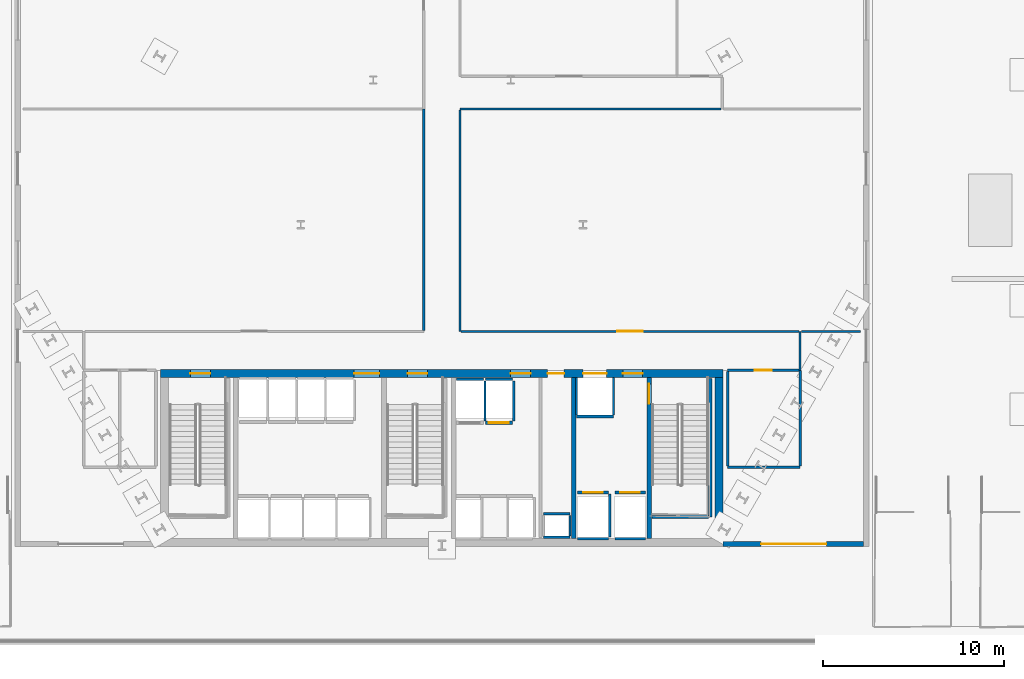
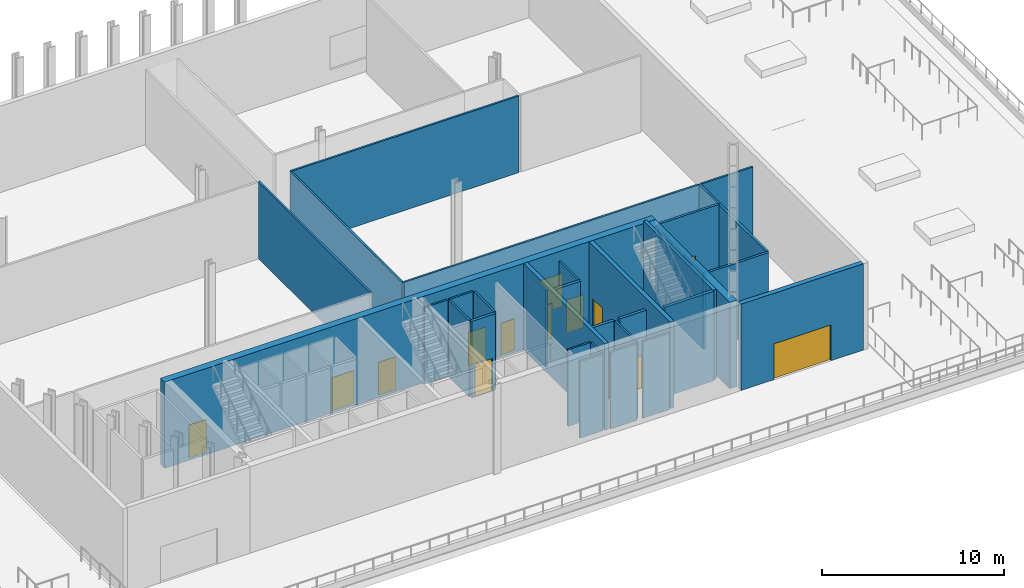
# One storey, part 5 of 13: 33 walls, 14 doors, 14 openings.
"""IFC4 building model written with IfcOpenShell, lengths in metres."""

from ifc_helpers import new_model, si_unit, direction, frame, frame_2d, origin, place, context, subcontext, project, spatial, rectangle, extrude, material, layer, layer_set, type_object, element, fill, save


model = new_model("IFC4")

# Units and contexts
model_context = context("Model", 3, precision=1e-05, world=origin(), true_north=direction((0.0, 1.0)))
body_context = subcontext(model_context, "Body", "Model", "MODEL_VIEW")
ifc_project = project(units=[si_unit("LENGTHUNIT", "METRE"), si_unit("AREAUNIT", "SQUARE_METRE"), si_unit("VOLUMEUNIT", "CUBIC_METRE"), si_unit("PLANEANGLEUNIT", "RADIAN"), si_unit("MASSUNIT", "GRAM", prefix="KILO")], contexts=[model_context])

# Site, building, storey
site_placement = place(None, origin())
site = spatial("IfcSite", under=ifc_project, at=site_placement, CompositionType="ELEMENT")
building_placement = place(site_placement, origin())
building = spatial("IfcBuilding", under=site, at=building_placement, Name="Ndaravel Arena Tower", CompositionType="ELEMENT")
storey_placement = place(building_placement, frame((0.0, 0.0, 30.0)))
storey = spatial("IfcBuildingStorey", under=building, at=storey_placement, Name="L05", CompositionType="ELEMENT", Elevation=30.0)

# Wall
ifc_material_1 = material(Name="Concrete C60/75", Category="concrete")
ifc_layer_1 = layer(ifc_material_1, 0.25)
ifc_layer_set_1 = layer_set([ifc_layer_1], Name="Concrete C60/75")
wall_type_1 = type_object("IfcWallType", Name="WALL-CORE-250", PredefinedType="SOLIDWALL", material=ifc_layer_set_1)
wall_1_placement = place(storey_placement, frame((49.300048828125, 5.85009765625, 0.0), z_axis=(0.0, 0.0, 1.0), x_axis=(0.0, 1.0, 0.0)))
element("IfcWall", 1, at=wall_1_placement, inside=storey, type_object=wall_type_1, Name="L05 Core Web Shear Wall 4", PredefinedType="SOLIDWALL", context=body_context, shape_type="SweptSolid", body=[
    extrude(rectangle(XDim=8.89990234375, YDim=0.25, at=frame_2d((4.449951171875, 0.0))), origin(), (0.0, 0.0, 1.0), 5.780029296875),
])

# Wall, opening, door
wall_2_placement = place(storey_placement, frame((53.449951171875, 5.85009765625, 0.0), z_axis=(0.0, 0.0, 1.0), x_axis=(0.0, 1.0, 0.0)))
wall_2 = element("IfcWall", 2, at=wall_2_placement, inside=storey, type_object=wall_type_1, Name="L05 Core Web Shear Wall 5", PredefinedType="SOLIDWALL", context=body_context, shape_type="SweptSolid", body=[
    extrude(rectangle(XDim=8.89990234375, YDim=0.25, at=frame_2d((4.449951171875, 0.0))), origin(), (0.0, 0.0, 1.0), 5.780029296875),
])
opening_1_placement = place(wall_2_placement, frame((7.449951171875, 0.0, 0.0)))
opening_1 = element("IfcOpeningElement", 3, at=opening_1_placement, cuts=wall_2, Name="Opening FD-01", PredefinedType="OPENING", context=body_context, shape_type="SweptSolid", body=[
    extrude(rectangle(XDim=1.10009765625, YDim=2.199951171875, at=frame_2d((0.550048828125, 1.10009765625))), frame((0.0, 0.125, 0.0), z_axis=(0.0, -1.0, 0.0), x_axis=(1.0, 0.0, 0.0)), (0.0, 0.0, 1.0), 0.25),
])
ifc_material_2 = material(Name="Steel S355", Category="steel")
door_type_1 = type_object("IfcDoorType", Name="DT-01-STAIR-1100", OperationType="SINGLE_SWING_LEFT", PredefinedType="DOOR", material=ifc_material_2)
door_1_placement = place(opening_1_placement, origin())
door_1 = element("IfcDoor", 4, at=door_1_placement, inside=storey, type_object=door_type_1, Name="L05 Firefighting Lobby to ST-3 Door", OperationType="SINGLE_SWING_LEFT", OverallHeight=2.199951171875, OverallWidth=1.10009765625, PredefinedType="DOOR", context=body_context, shape_type="SweptSolid", body=[
    extrude(rectangle(XDim=1.10009765625, YDim=2.199951171875, at=frame_2d((0.550048828125, 1.10009765625))), frame((0.0, 0.02490234375, 0.0), z_axis=(0.0, -1.0, 0.0), x_axis=(1.0, 0.0, 0.0)), (0.0, 0.0, 1.0), 0.050048828125),
])
fill(opening_1, door_1)

# Wall, openings, doors
ifc_material_3 = material(Name="Concrete C60/75", Category="concrete")
ifc_layer_2 = layer(ifc_material_3, 0.449951171875)
ifc_layer_set_2 = layer_set([ifc_layer_2], Name="Concrete C60/75")
wall_type_2 = type_object("IfcWallType", Name="WALL-CORE-450", PredefinedType="SOLIDWALL", material=ifc_layer_set_2)
wall_3_placement = place(storey_placement, frame((26.449951171875, 14.97509765625, 0.0), z_axis=(0.0, 0.0, 1.0), x_axis=(1.0, 0.0, 0.0)))
wall_3 = element("IfcWall", 5, at=wall_3_placement, inside=storey, type_object=wall_type_2, Name="L05 Core North Shear Wall", PredefinedType="SOLIDWALL", context=body_context, shape_type="SweptSolid", body=[
    extrude(rectangle(XDim=31.10009765625, YDim=0.449951171875, at=frame_2d((15.550048828125, 0.0))), origin(), (0.0, 0.0, 1.0), 5.780029296875),
])
opening_2_placement = place(wall_3_placement, frame((1.64990234375, 0.0, 0.0)))
opening_2 = element("IfcOpeningElement", 6, at=opening_2_placement, cuts=wall_3, Name="Opening FD-01", PredefinedType="OPENING", context=body_context, shape_type="SweptSolid", body=[
    extrude(rectangle(XDim=1.10009765625, YDim=2.199951171875, at=frame_2d((0.550048828125, 1.10009765625))), frame((0.0, 0.22509765625, 0.0), z_axis=(0.0, -1.0, 0.0), x_axis=(1.0, 0.0, 0.0)), (0.0, 0.0, 1.0), 0.449951171875),
])
opening_3_placement = place(wall_3_placement, frame((13.64990234375, 0.0, 0.0)))
opening_3 = element("IfcOpeningElement", 7, at=opening_3_placement, cuts=wall_3, Name="Opening FD-01", PredefinedType="OPENING", context=body_context, shape_type="SweptSolid", body=[
    extrude(rectangle(XDim=1.10009765625, YDim=2.199951171875, at=frame_2d((0.550048828125, 1.10009765625))), frame((0.0, 0.22509765625, 0.0), z_axis=(0.0, -1.0, 0.0), x_axis=(1.0, 0.0, 0.0)), (0.0, 0.0, 1.0), 0.449951171875),
])
opening_4_placement = place(wall_3_placement, frame((25.550048828125, 0.0, 0.0)))
opening_4 = element("IfcOpeningElement", 8, at=opening_4_placement, cuts=wall_3, Name="Opening FD-01", PredefinedType="OPENING", context=body_context, shape_type="SweptSolid", body=[
    extrude(rectangle(XDim=1.10009765625, YDim=2.199951171875, at=frame_2d((0.550048828125, 1.10009765625))), frame((0.0, 0.22509765625, 0.0), z_axis=(0.0, -1.0, 0.0), x_axis=(1.0, 0.0, 0.0)), (0.0, 0.0, 1.0), 0.449951171875),
])
opening_5_placement = place(wall_3_placement, frame((10.699951171875, 0.0, 0.0)))
opening_5 = element("IfcOpeningElement", 9, at=opening_5_placement, cuts=wall_3, Name="Opening ID-02", PredefinedType="OPENING", context=body_context, shape_type="SweptSolid", body=[
    extrude(rectangle(XDim=1.39990234375, YDim=2.199951171875, at=frame_2d((0.699951171875, 1.10009765625))), frame((0.0, 0.22509765625, 0.0), z_axis=(0.0, -1.0, 0.0), x_axis=(1.0, 0.0, 0.0)), (0.0, 0.0, 1.0), 0.449951171875),
])
opening_6_placement = place(wall_3_placement, frame((19.35009765625, 0.0, 0.0)))
opening_6 = element("IfcOpeningElement", 10, at=opening_6_placement, cuts=wall_3, Name="Opening FD-01", PredefinedType="OPENING", context=body_context, shape_type="SweptSolid", body=[
    extrude(rectangle(XDim=1.10009765625, YDim=2.199951171875, at=frame_2d((0.550048828125, 1.10009765625))), frame((0.0, 0.22509765625, 0.0), z_axis=(0.0, -1.0, 0.0), x_axis=(1.0, 0.0, 0.0)), (0.0, 0.0, 1.0), 0.449951171875),
])
opening_7_placement = place(wall_3_placement, frame((21.39990234375, 0.0, 0.0)))
opening_7 = element("IfcOpeningElement", 11, at=opening_7_placement, cuts=wall_3, Name="Opening RD-01", PredefinedType="OPENING", context=body_context, shape_type="SweptSolid", body=[
    extrude(rectangle(XDim=0.89990234375, YDim=2.10009765625, at=frame_2d((0.449951171875, 1.050048828125))), frame((0.0, 0.22509765625, 0.0), z_axis=(0.0, -1.0, 0.0), x_axis=(1.0, 0.0, 0.0)), (0.0, 0.0, 1.0), 0.449951171875),
])
opening_8_placement = place(wall_3_placement, frame((23.35009765625, 0.0, 0.0)))
opening_8 = element("IfcOpeningElement", 12, at=opening_8_placement, cuts=wall_3, Name="Opening LD-02", PredefinedType="OPENING", context=body_context, shape_type="SweptSolid", body=[
    extrude(rectangle(XDim=1.300048828125, YDim=2.300048828125, at=frame_2d((0.64990234375, 1.14990234375))), frame((0.0, 0.22509765625, 0.0), z_axis=(0.0, -1.0, 0.0), x_axis=(1.0, 0.0, 0.0)), (0.0, 0.0, 1.0), 0.449951171875),
])
door_2_placement = place(opening_2_placement, origin())
door_2 = element("IfcDoor", 13, at=door_2_placement, inside=storey, type_object=door_type_1, Name="L05 Exit Stair ST-1 Door", OperationType="SINGLE_SWING_RIGHT", OverallHeight=2.199951171875, OverallWidth=1.10009765625, PredefinedType="DOOR", context=body_context, shape_type="SweptSolid", body=[
    extrude(rectangle(XDim=1.10009765625, YDim=2.199951171875, at=frame_2d((0.550048828125, 1.10009765625))), frame((0.0, 0.02490234375, 0.0), z_axis=(0.0, -1.0, 0.0), x_axis=(1.0, 0.0, 0.0)), (0.0, 0.0, 1.0), 0.050048828125),
])
fill(opening_2, door_2)
door_3_placement = place(opening_3_placement, origin())
door_3 = element("IfcDoor", 14, at=door_3_placement, inside=storey, type_object=door_type_1, Name="L05 Exit Stair ST-2 Door", OperationType="SINGLE_SWING_LEFT", OverallHeight=2.199951171875, OverallWidth=1.10009765625, PredefinedType="DOOR", context=body_context, shape_type="SweptSolid", body=[
    extrude(rectangle(XDim=1.10009765625, YDim=2.199951171875, at=frame_2d((0.550048828125, 1.10009765625))), frame((0.0, 0.02490234375, 0.0), z_axis=(0.0, -1.0, 0.0), x_axis=(1.0, 0.0, 0.0)), (0.0, 0.0, 1.0), 0.050048828125),
])
fill(opening_3, door_3)
door_4_placement = place(opening_4_placement, origin())
door_4 = element("IfcDoor", 15, at=door_4_placement, inside=storey, type_object=door_type_1, Name="L05 Firefighting Lift Lobby Door", OperationType="SINGLE_SWING_RIGHT", OverallHeight=2.199951171875, OverallWidth=1.10009765625, PredefinedType="DOOR", context=body_context, shape_type="SweptSolid", body=[
    extrude(rectangle(XDim=1.10009765625, YDim=2.199951171875, at=frame_2d((0.550048828125, 1.10009765625))), frame((0.0, 0.02490234375, 0.0), z_axis=(0.0, -1.0, 0.0), x_axis=(1.0, 0.0, 0.0)), (0.0, 0.0, 1.0), 0.050048828125),
])
fill(opening_4, door_4)
door_5_placement = place(opening_6_placement, origin())
door_5 = element("IfcDoor", 16, at=door_5_placement, inside=storey, type_object=door_type_1, Name="L05 Express Lift Lobby Entry Door", OperationType="SINGLE_SWING_LEFT", OverallHeight=2.199951171875, OverallWidth=1.10009765625, PredefinedType="DOOR", context=body_context, shape_type="SweptSolid", body=[
    extrude(rectangle(XDim=1.10009765625, YDim=2.199951171875, at=frame_2d((0.550048828125, 1.10009765625))), frame((0.0, 0.02490234375, 0.0), z_axis=(0.0, -1.0, 0.0), x_axis=(1.0, 0.0, 0.0)), (0.0, 0.0, 1.0), 0.050048828125),
])
fill(opening_6, door_5)
ifc_material_4 = material(Name="Timber", Category="wood")
door_type_2 = type_object("IfcDoorType", Name="DT-04-SUITE-1400", OperationType="DOUBLE_DOOR_SINGLE_SWING", PredefinedType="DOOR", material=ifc_material_4)
door_6_placement = place(opening_5_placement, origin())
door_6 = element("IfcDoor", 17, at=door_6_placement, inside=storey, type_object=door_type_2, Name="L05 West Lift Lobby Entry Door", OperationType="DOUBLE_DOOR_SINGLE_SWING", OverallHeight=2.199951171875, OverallWidth=1.39990234375, PredefinedType="DOOR", context=body_context, shape_type="SweptSolid", body=[
    extrude(rectangle(XDim=1.39990234375, YDim=2.199951171875, at=frame_2d((0.699951171875, 1.10009765625))), frame((0.0, 0.02490234375, 0.0), z_axis=(0.0, -1.0, 0.0), x_axis=(1.0, 0.0, 0.0)), (0.0, 0.0, 1.0), 0.050048828125),
])
fill(opening_5, door_6)
ifc_material_5 = material(Name="Steel S355", Category="steel")
door_type_3 = type_object("IfcDoorType", Name="DT-07-SVLIFT-1300", OperationType="DOUBLE_DOOR_SLIDING", PredefinedType="DOOR", material=ifc_material_5)
door_7_placement = place(opening_8_placement, origin())
door_7 = element("IfcDoor", 18, at=door_7_placement, inside=storey, type_object=door_type_3, Name="L05 Lift SVL-1 Sliding Landing Door", OperationType="DOUBLE_DOOR_SLIDING", OverallHeight=2.300048828125, OverallWidth=1.300048828125, PredefinedType="DOOR", context=body_context, shape_type="SweptSolid", body=[
    extrude(rectangle(XDim=1.300048828125, YDim=2.300048828125, at=frame_2d((0.64990234375, 1.14990234375))), frame((0.0, 0.02490234375, 0.0), z_axis=(0.0, -1.0, 0.0), x_axis=(1.0, 0.0, 0.0)), (0.0, 0.0, 1.0), 0.050048828125),
])
fill(opening_8, door_7)
ifc_material_6 = material(Name="Steel S355", Category="steel")
door_type_4 = type_object("IfcDoorType", Name="DT-08-RISER-900", OperationType="SINGLE_SWING_LEFT", PredefinedType="DOOR", material=ifc_material_6)
door_8_placement = place(opening_7_placement, origin())
door_8 = element("IfcDoor", 19, at=door_8_placement, inside=storey, type_object=door_type_4, Name="L05 Core Service Riser North Door", OperationType="SINGLE_SWING_LEFT", OverallHeight=2.10009765625, OverallWidth=0.89990234375, PredefinedType="DOOR", context=body_context, shape_type="SweptSolid", body=[
    extrude(rectangle(XDim=0.89990234375, YDim=2.10009765625, at=frame_2d((0.449951171875, 1.050048828125))), frame((0.0, 0.02490234375, 0.0), z_axis=(0.0, -1.0, 0.0), x_axis=(1.0, 0.0, 0.0)), (0.0, 0.0, 1.0), 0.050048828125),
])
fill(opening_7, door_8)

# Walls
wall_4_placement = place(storey_placement, frame((57.324951171875, 5.85009765625, 0.0), z_axis=(0.0, 0.0, 1.0), x_axis=(0.0, 1.0, 0.0)))
element("IfcWall", 20, at=wall_4_placement, inside=storey, type_object=wall_type_2, Name="L05 Core East Shear Wall", PredefinedType="SOLIDWALL", context=body_context, shape_type="SweptSolid", body=[
    extrude(rectangle(XDim=8.89990234375, YDim=0.449951171875, at=frame_2d((4.449951171875, 0.0))), origin(), (0.0, 0.0, 1.0), 5.780029296875),
])
ifc_material_7 = material(Name="Gypsum", Category="gypsum")
ifc_layer_3 = layer(ifc_material_7, 0.125)
ifc_layer_set_3 = layer_set([ifc_layer_3], Name="Gypsum")
wall_type_3 = type_object("IfcWallType", Name="WALL-PART-125", PredefinedType="PARTITIONING", material=ifc_layer_set_3)
wall_5_placement = place(storey_placement, frame((61.800048828125, 17.300048828125, 0.0), z_axis=(0.0, 0.0, 1.0), x_axis=(0.0, -1.0, 0.0)))
element("IfcWall", 21, at=wall_5_placement, inside=storey, type_object=wall_type_3, Name="L05 Interior Partition 001", PredefinedType="PARTITIONING", context=body_context, shape_type="SweptSolid", body=[
    extrude(rectangle(XDim=2.150146484375, YDim=0.125, at=frame_2d((1.0751953125, 0.0))), origin(), (0.0, 0.0, 1.0), 5.1328125),
])
wall_6_placement = place(storey_placement, frame((41.0, 17.364990234375, 0.0), z_axis=(0.0, 0.0, 1.0), x_axis=(0.0, 1.0, 0.0)))
element("IfcWall", 22, at=wall_6_placement, inside=storey, type_object=wall_type_3, Name="L05 Interior Partition 007", PredefinedType="PARTITIONING", context=body_context, shape_type="SweptSolid", body=[
    extrude(rectangle(XDim=12.235107421875, YDim=0.125, at=frame_2d((6.11767578125, 0.0))), origin(), (0.0, 0.0, 1.0), 5.1328125),
])
wall_7_placement = place(storey_placement, frame((57.43505859375, 29.60009765625, 0.0), z_axis=(0.0, 0.0, 1.0), x_axis=(-1.0, 0.0, 0.0)))
element("IfcWall", 23, at=wall_7_placement, inside=storey, type_object=wall_type_3, Name="L05 Interior Partition 013", PredefinedType="PARTITIONING", context=body_context, shape_type="SweptSolid", body=[
    extrude(rectangle(XDim=14.43505859375, YDim=0.125, at=frame_2d((7.217529296875, 0.0))), origin(), (0.0, 0.0, 1.0), 5.1328125),
])
wall_8_placement = place(storey_placement, frame((43.0, 29.534912109375, 0.0), z_axis=(0.0, 0.0, 1.0), x_axis=(0.0, -1.0, 0.0)))
element("IfcWall", 24, at=wall_8_placement, inside=storey, type_object=wall_type_3, Name="L05 Interior Partition 014", PredefinedType="PARTITIONING", context=body_context, shape_type="SweptSolid", body=[
    extrude(rectangle(XDim=12.23486328125, YDim=0.125, at=frame_2d((6.117431640625, 0.0))), origin(), (0.0, 0.0, 1.0), 5.1328125),
])

# Wall, opening, door
wall_9_placement = place(storey_placement, frame((43.06494140625, 17.300048828125, 0.0), z_axis=(0.0, 0.0, 1.0), x_axis=(1.0, 0.0, 0.0)))
wall_9 = element("IfcWall", 25, at=wall_9_placement, inside=storey, type_object=wall_type_3, Name="L05 Interior Partition 015", PredefinedType="PARTITIONING", context=body_context, shape_type="SweptSolid", body=[
    extrude(rectangle(XDim=18.670166015625, YDim=0.125, at=frame_2d((9.3349609375, 0.0))), origin(), (0.0, 0.0, 1.0), 5.1328125),
])
opening_9_placement = place(wall_9_placement, frame((8.635009765625, 0.0, 0.0)))
opening_9 = element("IfcOpeningElement", 26, at=opening_9_placement, cuts=wall_9, Name="Opening ID-02", PredefinedType="OPENING", context=body_context, shape_type="SweptSolid", body=[
    extrude(rectangle(XDim=1.39990234375, YDim=2.199951171875, at=frame_2d((0.699951171875, 1.10009765625))), frame((0.0, 0.0625, 0.0), z_axis=(0.0, -1.0, 0.0), x_axis=(1.0, 0.0, 0.0)), (0.0, 0.0, 1.0), 0.125),
])
door_9_placement = place(opening_9_placement, origin())
door_9 = element("IfcDoor", 27, at=door_9_placement, inside=storey, type_object=door_type_2, Name="L05 Civic Architecture & Sports Exhibition Gallery Door", OperationType="SINGLE_SWING_RIGHT", OverallHeight=2.199951171875, OverallWidth=1.39990234375, PredefinedType="DOOR", context=body_context, shape_type="SweptSolid", body=[
    extrude(rectangle(XDim=1.39990234375, YDim=2.199951171875, at=frame_2d((0.699951171875, 1.10009765625))), frame((0.0, 0.02490234375, 0.0), z_axis=(0.0, -1.0, 0.0), x_axis=(1.0, 0.0, 0.0)), (0.0, 0.0, 1.0), 0.050048828125),
])
fill(opening_9, door_9)

# Wall
wall_10_placement = place(storey_placement, frame((65.14990234375, 17.300048828125, 0.0), z_axis=(0.0, 0.0, 1.0), x_axis=(-1.0, 0.0, 0.0)))
element("IfcWall", 28, at=wall_10_placement, inside=storey, type_object=wall_type_3, Name="L05 Interior Partition 018", PredefinedType="PARTITIONING", context=body_context, shape_type="SweptSolid", body=[
    extrude(rectangle(XDim=3.284912109375, YDim=0.125, at=frame_2d((1.642578125, 0.0))), origin(), (0.0, 0.0, 1.0), 5.1328125),
])

# Wall, opening, door
ifc_material_8 = material(Name="Masonry", Category="masonry")
ifc_layer_4 = layer(ifc_material_8, 0.300048828125)
ifc_layer_set_4 = layer_set([ifc_layer_4], Name="Masonry")
wall_type_4 = type_object("IfcWallType", Name="WALL-POD-MAZERAS-300", PredefinedType="SOLIDWALL", material=ifc_layer_set_4)
wall_11_placement = place(storey_placement, frame((57.550048828125, 5.550048828125, 0.0), z_axis=(0.0, 0.0, 1.0), x_axis=(1.0, 0.0, 0.0)))
wall_11 = element("IfcWall", 29, at=wall_11_placement, inside=storey, type_object=wall_type_4, Name="L05 Garden Pavilion South-East Wall", PredefinedType="SOLIDWALL", context=body_context, shape_type="SweptSolid", body=[
    extrude(rectangle(XDim=7.75, YDim=0.300048828125, at=frame_2d((3.875, 0.0))), origin(), (0.0, 0.0, 1.0), 5.780029296875),
])
opening_10_placement = place(wall_11_placement, frame((2.10009765625, 0.0, 0.0)))
opening_10 = element("IfcOpeningElement", 30, at=opening_10_placement, cuts=wall_11, Name="Opening GT-01", PredefinedType="OPENING", context=body_context, shape_type="SweptSolid", body=[
    extrude(rectangle(XDim=3.60009765625, YDim=2.39990234375, at=frame_2d((1.800048828125, 1.199951171875))), frame((0.0, 0.14990234375, 0.0), z_axis=(0.0, -1.0, 0.0), x_axis=(1.0, 0.0, 0.0)), (0.0, 0.0, 1.0), 0.300048828125),
])
ifc_material_9 = material(Name="Aluminium", Category="aluminium")
door_type_5 = type_object("IfcDoorType", Name="ED-GATE-3600", OperationType="DOUBLE_DOOR_SINGLE_SWING", PredefinedType="GATE", material=ifc_material_9)
door_10_placement = place(opening_10_placement, origin())
door_10 = element("IfcDoor", 31, at=door_10_placement, inside=storey, type_object=door_type_5, Name="L05 East Garden Ceremonial Gate", OperationType="DOUBLE_DOOR_SINGLE_SWING", OverallHeight=2.39990234375, OverallWidth=3.60009765625, PredefinedType="GATE", context=body_context, shape_type="SweptSolid", body=[
    extrude(rectangle(XDim=3.60009765625, YDim=2.39990234375, at=frame_2d((1.800048828125, 1.199951171875))), frame((0.0, 0.02490234375, 0.0), z_axis=(0.0, -1.0, 0.0), x_axis=(1.0, 0.0, 0.0)), (0.0, 0.0, 1.0), 0.050048828125),
])
fill(opening_10, door_10)

# Walls
ifc_material_10 = material(Name="Concrete C40/50", Category="concrete")
ifc_layer_5 = layer(ifc_material_10, 0.1201171875)
ifc_layer_set_5 = layer_set([ifc_layer_5], Name="Concrete C40/50")
wall_type_5 = type_object("IfcWallType", Name="WALL-SHAFT-120", PredefinedType="SOLIDWALL", material=ifc_layer_set_5)
for number, where, z_axis, x_axis, name in (
    (32, (47.6201171875, 5.919921875, 0.0), (0.0, 0.0, 1.0), (1.0, 0.0, 0.0), "L05 MEP Riser Shaft S Wall"),
    (33, (47.6201171875, 7.219970703125, 0.0), (0.0, 0.0, 1.0), (1.0, 0.0, 0.0), "L05 MEP Riser Shaft N Wall"),
):
    element("IfcWall", number, at=place(storey_placement, frame(where, z_axis=z_axis, x_axis=x_axis)), inside=storey, type_object=wall_type_5, Name=name, PredefinedType="SOLIDWALL", context=body_context, shape_type="SweptSolid", body=[
        extrude(rectangle(XDim=1.4599609375, YDim=0.1201171875, at=frame_2d((0.72998046875, 0.0))), origin(), (0.0, 0.0, 1.0), 5.1328125),
    ])
wall_12_placement = place(storey_placement, frame((49.080078125, 6.0, 0.0), z_axis=(0.0, 0.0, 1.0), x_axis=(0.0, 1.0, 0.0)))
element("IfcWall", 34, at=wall_12_placement, inside=storey, type_object=wall_type_5, Name="L05 MEP Riser Shaft E Wall", PredefinedType="SOLIDWALL", context=body_context, shape_type="SweptSolid", body=[
    extrude(rectangle(XDim=1.139892578125, YDim=0.1201171875, at=frame_2d((0.56982421875, 0.0))), origin(), (0.0, 0.0, 1.0), 5.1328125),
])
wall_13_placement = place(storey_placement, frame((42.804931640625, 14.659912109375, 0.0), z_axis=(0.0, 0.0, 1.0), x_axis=(1.0, 0.0, 0.0)))
element("IfcWall", 35, at=wall_13_placement, inside=storey, type_object=wall_type_5, Name="L05 PL-OBS1 Shaft Rear Wall", PredefinedType="SOLIDWALL", context=body_context, shape_type="SweptSolid", body=[
    extrude(rectangle(XDim=1.489990234375, YDim=0.1201171875, at=frame_2d((0.7451171875, 0.0))), origin(), (0.0, 0.0, 1.0), 5.1328125),
])
wall_14_placement = place(storey_placement, frame((44.375, 12.340087890625, 0.0), z_axis=(0.0, 0.0, 1.0), x_axis=(0.0, 1.0, 0.0)))
element("IfcWall", 36, at=wall_14_placement, inside=storey, type_object=wall_type_5, Name="L05 PL-OBS1 Shaft Side R Wall", PredefinedType="SOLIDWALL", context=body_context, shape_type="SweptSolid", body=[
    extrude(rectangle(XDim=2.22998046875, YDim=0.1201171875, at=frame_2d((1.114990234375, 0.0))), origin(), (0.0, 0.0, 1.0), 5.1328125),
])
wall_15_placement = place(storey_placement, frame((44.405029296875, 14.659912109375, 0.0), z_axis=(0.0, 0.0, 1.0), x_axis=(1.0, 0.0, 0.0)))
element("IfcWall", 37, at=wall_15_placement, inside=storey, type_object=wall_type_5, Name="L05 PL-OBS2 Shaft Rear Wall", PredefinedType="SOLIDWALL", context=body_context, shape_type="SweptSolid", body=[
    extrude(rectangle(XDim=1.489990234375, YDim=0.1201171875, at=frame_2d((0.7451171875, 0.0))), origin(), (0.0, 0.0, 1.0), 5.1328125),
])
wall_16_placement = place(storey_placement, frame((45.97509765625, 12.340087890625, 0.0), z_axis=(0.0, 0.0, 1.0), x_axis=(0.0, 1.0, 0.0)))
element("IfcWall", 38, at=wall_16_placement, inside=storey, type_object=wall_type_5, Name="L05 PL-OBS2 Shaft Side R Wall", PredefinedType="SOLIDWALL", context=body_context, shape_type="SweptSolid", body=[
    extrude(rectangle(XDim=2.22998046875, YDim=0.1201171875, at=frame_2d((1.114990234375, 0.0))), origin(), (0.0, 0.0, 1.0), 5.1328125),
])
wall_17_placement = place(storey_placement, frame((49.5048828125, 5.840087890625, 0.0), z_axis=(0.0, 0.0, 1.0), x_axis=(1.0, 0.0, 0.0)))
element("IfcWall", 39, at=wall_17_placement, inside=storey, type_object=wall_type_5, Name="L05 FFL-1 Shaft Rear Wall", PredefinedType="SOLIDWALL", context=body_context, shape_type="SweptSolid", body=[
    extrude(rectangle(XDim=1.690185546875, YDim=0.1201171875, at=frame_2d((0.84521484375, 0.0))), origin(), (0.0, 0.0, 1.0), 5.1328125),
])
wall_18_placement = place(storey_placement, frame((51.27490234375, 5.929931640625, 0.0), z_axis=(0.0, 0.0, 1.0), x_axis=(0.0, 1.0, 0.0)))
element("IfcWall", 40, at=wall_18_placement, inside=storey, type_object=wall_type_5, Name="L05 FFL-1 Shaft Side R Wall", PredefinedType="SOLIDWALL", context=body_context, shape_type="SweptSolid", body=[
    extrude(rectangle(XDim=2.380126953125, YDim=0.1201171875, at=frame_2d((1.18994140625, 0.0))), origin(), (0.0, 0.0, 1.0), 5.1328125),
])
wall_19_placement = place(storey_placement, frame((51.554931640625, 5.840087890625, 0.0), z_axis=(0.0, 0.0, 1.0), x_axis=(1.0, 0.0, 0.0)))
element("IfcWall", 41, at=wall_19_placement, inside=storey, type_object=wall_type_5, Name="L05 FFL-2 Shaft Rear Wall", PredefinedType="SOLIDWALL", context=body_context, shape_type="SweptSolid", body=[
    extrude(rectangle(XDim=1.690185546875, YDim=0.1201171875, at=frame_2d((0.84521484375, 0.0))), origin(), (0.0, 0.0, 1.0), 5.1328125),
])
for number, where, z_axis, x_axis, name in (
    (42, (49.43994140625, 12.68994140625, 0.0), (0.0, 0.0, 1.0), (0.0, 1.0, 0.0), "L05 SVL-1 Shaft W Wall"),
    (43, (51.47998046875, 12.68994140625, 0.0), (0.0, 0.0, 1.0), (0.0, 1.0, 0.0), "L05 SVL-1 Shaft E Wall"),
):
    element("IfcWall", number, at=place(storey_placement, frame(where, z_axis=z_axis, x_axis=x_axis)), inside=storey, type_object=wall_type_5, Name=name, PredefinedType="SOLIDWALL", context=body_context, shape_type="SweptSolid", body=[
        extrude(rectangle(XDim=2.070068359375, YDim=0.1201171875, at=frame_2d((1.03515625, 0.0))), origin(), (0.0, 0.0, 1.0), 5.1328125),
    ])
ifc_material_11 = material(Name="Concrete C40/50", Category="concrete")
ifc_layer_6 = layer(ifc_material_11, 0.199951171875)
ifc_layer_set_6 = layer_set([ifc_layer_6], Name="Concrete C40/50")
wall_type_6 = type_object("IfcWallType", Name="WALL-SHAFT-200", PredefinedType="SOLIDWALL", material=ifc_layer_set_6)
wall_20_placement = place(storey_placement, frame((56.840087890625, 14.699951171875, 0.0), z_axis=(0.0, 0.0, 1.0), x_axis=(0.0, -1.0, 0.0)))
element("IfcWall", 44, at=wall_20_placement, inside=storey, type_object=wall_type_6, Name="L05 ST-3 Structural Shaft Wall Right", PredefinedType="SOLIDWALL", context=body_context, shape_type="SweptSolid", body=[
    extrude(rectangle(XDim=7.64990234375, YDim=0.199951171875, at=frame_2d((3.824951171875, 0.0))), origin(), (0.0, 0.0, 1.0), 6.0),
])
wall_21_placement = place(storey_placement, frame((53.6201171875, 7.050048828125, 0.0), z_axis=(0.0, 0.0, 1.0), x_axis=(1.0, 0.0, 0.0)))
element("IfcWall", 45, at=wall_21_placement, inside=storey, type_object=wall_type_6, Name="L05 ST-3 Structural Shaft Wall Far", PredefinedType="SOLIDWALL", context=body_context, shape_type="SweptSolid", body=[
    extrude(rectangle(XDim=3.114990234375, YDim=0.199951171875, at=frame_2d((1.5576171875, 0.0))), origin(), (0.0, 0.0, 1.0), 6.0),
])

# Wall, opening, door
wall_22_placement = place(storey_placement, frame((44.405029296875, 12.25, 0.0), z_axis=(0.0, 0.0, 1.0), x_axis=(1.0, 0.0, 0.0)))
wall_22 = element("IfcWall", 46, at=wall_22_placement, inside=storey, type_object=wall_type_6, Name="L05 PL-OBS2 Shaft Landing Wall", PredefinedType="SOLIDWALL", context=body_context, shape_type="SweptSolid", body=[
    extrude(rectangle(XDim=1.489990234375, YDim=0.179931640625, at=frame_2d((0.7451171875, 0.0))), origin(), (0.0, 0.0, 1.0), 5.1328125),
])
opening_11_placement = place(wall_22_placement, frame((0.195068359375, 0.0, 0.0)))
opening_11 = element("IfcOpeningElement", 47, at=opening_11_placement, cuts=wall_22, Name="Opening LD-01", PredefinedType="OPENING", context=body_context, shape_type="SweptSolid", body=[
    extrude(rectangle(XDim=1.10009765625, YDim=2.199951171875, at=frame_2d((0.550048828125, 1.10009765625))), frame((0.0, 0.08984375, 0.0), z_axis=(0.0, -1.0, 0.0), x_axis=(1.0, 0.0, 0.0)), (0.0, 0.0, 1.0), 0.179931640625),
])
ifc_material_12 = material(Name="Steel S355", Category="steel")
door_type_6 = type_object("IfcDoorType", Name="DT-06-LIFT-1100", OperationType="SLIDING_TO_LEFT", PredefinedType="DOOR", material=ifc_material_12)
door_11_placement = place(opening_11_placement, origin())
door_11 = element("IfcDoor", 48, at=door_11_placement, inside=storey, type_object=door_type_6, Name="L05 Lift PL-OBS2 Sliding Landing Door", OperationType="SLIDING_TO_LEFT", OverallHeight=2.199951171875, OverallWidth=1.10009765625, PredefinedType="DOOR", context=body_context, shape_type="SweptSolid", body=[
    extrude(rectangle(XDim=1.10009765625, YDim=2.199951171875, at=frame_2d((0.550048828125, 1.10009765625))), frame((0.0, 0.02490234375, 0.0), z_axis=(0.0, -1.0, 0.0), x_axis=(1.0, 0.0, 0.0)), (0.0, 0.0, 1.0), 0.050048828125),
])
fill(opening_11, door_11)

wall_23_placement = place(storey_placement, frame((49.5048828125, 8.39990234375, 0.0), z_axis=(0.0, 0.0, 1.0), x_axis=(1.0, 0.0, 0.0)))
wall_23 = element("IfcWall", 49, at=wall_23_placement, inside=storey, type_object=wall_type_6, Name="L05 FFL-1 Shaft Landing Wall", PredefinedType="SOLIDWALL", context=body_context, shape_type="SweptSolid", body=[
    extrude(rectangle(XDim=1.690185546875, YDim=0.179931640625, at=frame_2d((0.84521484375, 0.0))), origin(), (0.0, 0.0, 1.0), 5.1328125),
])
opening_12_placement = place(wall_23_placement, frame((0.294921875, 0.0, 0.0)))
opening_12 = element("IfcOpeningElement", 50, at=opening_12_placement, cuts=wall_23, Name="Opening LD-01", PredefinedType="OPENING", context=body_context, shape_type="SweptSolid", body=[
    extrude(rectangle(XDim=1.10009765625, YDim=2.199951171875, at=frame_2d((0.550048828125, 1.10009765625))), frame((0.0, 0.08984375, 0.0), z_axis=(0.0, -1.0, 0.0), x_axis=(1.0, 0.0, 0.0)), (0.0, 0.0, 1.0), 0.179931640625),
])
door_12_placement = place(opening_12_placement, origin())
door_12 = element("IfcDoor", 51, at=door_12_placement, inside=storey, type_object=door_type_6, Name="L05 Lift FFL-1 Sliding Landing Door", OperationType="SLIDING_TO_LEFT", OverallHeight=2.199951171875, OverallWidth=1.10009765625, PredefinedType="DOOR", context=body_context, shape_type="SweptSolid", body=[
    extrude(rectangle(XDim=1.10009765625, YDim=2.199951171875, at=frame_2d((0.550048828125, 1.10009765625))), frame((0.0, 0.02490234375, 0.0), z_axis=(0.0, -1.0, 0.0), x_axis=(1.0, 0.0, 0.0)), (0.0, 0.0, 1.0), 0.050048828125),
])
fill(opening_12, door_12)

wall_24_placement = place(storey_placement, frame((51.554931640625, 8.39990234375, 0.0), z_axis=(0.0, 0.0, 1.0), x_axis=(1.0, 0.0, 0.0)))
wall_24 = element("IfcWall", 52, at=wall_24_placement, inside=storey, type_object=wall_type_6, Name="L05 FFL-2 Shaft Landing Wall", PredefinedType="SOLIDWALL", context=body_context, shape_type="SweptSolid", body=[
    extrude(rectangle(XDim=1.690185546875, YDim=0.179931640625, at=frame_2d((0.84521484375, 0.0))), origin(), (0.0, 0.0, 1.0), 5.1328125),
])
opening_13_placement = place(wall_24_placement, frame((0.294921875, 0.0, 0.0)))
opening_13 = element("IfcOpeningElement", 53, at=opening_13_placement, cuts=wall_24, Name="Opening LD-01", PredefinedType="OPENING", context=body_context, shape_type="SweptSolid", body=[
    extrude(rectangle(XDim=1.10009765625, YDim=2.199951171875, at=frame_2d((0.550048828125, 1.10009765625))), frame((0.0, 0.08984375, 0.0), z_axis=(0.0, -1.0, 0.0), x_axis=(1.0, 0.0, 0.0)), (0.0, 0.0, 1.0), 0.179931640625),
])
door_13_placement = place(opening_13_placement, origin())
door_13 = element("IfcDoor", 54, at=door_13_placement, inside=storey, type_object=door_type_6, Name="L05 Lift FFL-2 Sliding Landing Door", OperationType="SLIDING_TO_LEFT", OverallHeight=2.199951171875, OverallWidth=1.10009765625, PredefinedType="DOOR", context=body_context, shape_type="SweptSolid", body=[
    extrude(rectangle(XDim=1.10009765625, YDim=2.199951171875, at=frame_2d((0.550048828125, 1.10009765625))), frame((0.0, 0.02490234375, 0.0), z_axis=(0.0, -1.0, 0.0), x_axis=(1.0, 0.0, 0.0)), (0.0, 0.0, 1.0), 0.050048828125),
])
fill(opening_13, door_13)

# Wall
wall_25_placement = place(storey_placement, frame((49.43994140625, 12.594970703125, 0.0), z_axis=(0.0, 0.0, 1.0), x_axis=(1.0, 0.0, 0.0)))
element("IfcWall", 55, at=wall_25_placement, inside=storey, type_object=wall_type_6, Name="L05 SVL-1 Shaft South Wall", PredefinedType="SOLIDWALL", context=body_context, shape_type="SweptSolid", body=[
    extrude(rectangle(XDim=2.0400390625, YDim=0.179931640625, at=frame_2d((1.02001953125, 0.0))), origin(), (0.0, 0.0, 1.0), 5.1328125),
])

# Wall, opening, door
ifc_material_13 = material(Name="Masonry", Category="masonry")
ifc_layer_7 = layer(ifc_material_13, 0.14990234375)
ifc_layer_set_7 = layer_set([ifc_layer_7], Name="Masonry")
wall_type_7 = type_object("IfcWallType", Name="WALL-WET-150", PredefinedType="PARTITIONING", material=ifc_layer_set_7)
wall_26_placement = place(storey_placement, frame((61.735107421875, 15.14990234375, 0.0), z_axis=(0.0, 0.0, 1.0), x_axis=(-1.0, 0.0, 0.0)))
wall_26 = element("IfcWall", 56, at=wall_26_placement, inside=storey, type_object=wall_type_7, Name="L05 Interior Partition 002", PredefinedType="PARTITIONING", context=body_context, shape_type="SweptSolid", body=[
    extrude(rectangle(XDim=3.93505859375, YDim=0.14990234375, at=frame_2d((1.967529296875, 0.0))), origin(), (0.0, 0.0, 1.0), 5.1328125),
])
opening_14_placement = place(wall_26_placement, frame((1.492431640625, 0.0, 0.0)))
opening_14 = element("IfcOpeningElement", 57, at=opening_14_placement, cuts=wall_26, Name="Opening FD-03", PredefinedType="OPENING", context=body_context, shape_type="SweptSolid", body=[
    extrude(rectangle(XDim=0.949951171875, YDim=2.199951171875, at=frame_2d((0.47509765625, 1.10009765625))), frame((0.0, 0.074951171875, 0.0), z_axis=(0.0, -1.0, 0.0), x_axis=(1.0, 0.0, 0.0)), (0.0, 0.0, 1.0), 0.14990234375),
])
ifc_material_14 = material(Name="Steel S355", Category="steel")
door_type_7 = type_object("IfcDoorType", Name="DT-11-CORE-950", OperationType="SINGLE_SWING_LEFT", PredefinedType="DOOR", material=ifc_material_14)
door_14_placement = place(opening_14_placement, origin())
door_14 = element("IfcDoor", 58, at=door_14_placement, inside=storey, type_object=door_type_7, Name="L05 Pavilion Catering & Pastry Kitchen Door", OperationType="SINGLE_SWING_LEFT", OverallHeight=2.199951171875, OverallWidth=0.949951171875, PredefinedType="DOOR", context=body_context, shape_type="SweptSolid", body=[
    extrude(rectangle(XDim=0.949951171875, YDim=2.199951171875, at=frame_2d((0.47509765625, 1.10009765625))), frame((0.0, 0.02490234375, 0.0), z_axis=(0.0, -1.0, 0.0), x_axis=(1.0, 0.0, 0.0)), (0.0, 0.0, 1.0), 0.050048828125),
])
fill(opening_14, door_14)

# Walls
wall_27_placement = place(storey_placement, frame((61.800048828125, 9.800048828125, 0.0), z_axis=(0.0, 0.0, 1.0), x_axis=(-1.0, 0.0, 0.0)))
element("IfcWall", 59, at=wall_27_placement, inside=storey, type_object=wall_type_7, Name="L05 Interior Partition 026", PredefinedType="PARTITIONING", context=body_context, shape_type="SweptSolid", body=[
    extrude(rectangle(XDim=4.0, YDim=0.14990234375, at=frame_2d((2.0, 0.0))), origin(), (0.0, 0.0, 1.0), 5.1328125),
])
wall_28_placement = place(storey_placement, frame((57.800048828125, 9.864990234375, 0.0), z_axis=(0.0, 0.0, 1.0), x_axis=(0.0, 1.0, 0.0)))
element("IfcWall", 60, at=wall_28_placement, inside=storey, type_object=wall_type_7, Name="L05 Interior Partition 027", PredefinedType="PARTITIONING", context=body_context, shape_type="SweptSolid", body=[
    extrude(rectangle(XDim=5.219970703125, YDim=0.14990234375, at=frame_2d((2.60986328125, 0.0))), origin(), (0.0, 0.0, 1.0), 5.1328125),
])
wall_29_placement = place(storey_placement, frame((61.800048828125, 15.14990234375, 0.0), z_axis=(0.0, 0.0, 1.0), x_axis=(0.0, -1.0, 0.0)))
element("IfcWall", 61, at=wall_29_placement, inside=storey, type_object=wall_type_7, Name="L05 Interior Partition 028", PredefinedType="PARTITIONING", context=body_context, shape_type="SweptSolid", body=[
    extrude(rectangle(XDim=5.284912109375, YDim=0.14990234375, at=frame_2d((2.642578125, 0.0))), origin(), (0.0, 0.0, 1.0), 5.1328125),
])

save(model, "model.ifc")
